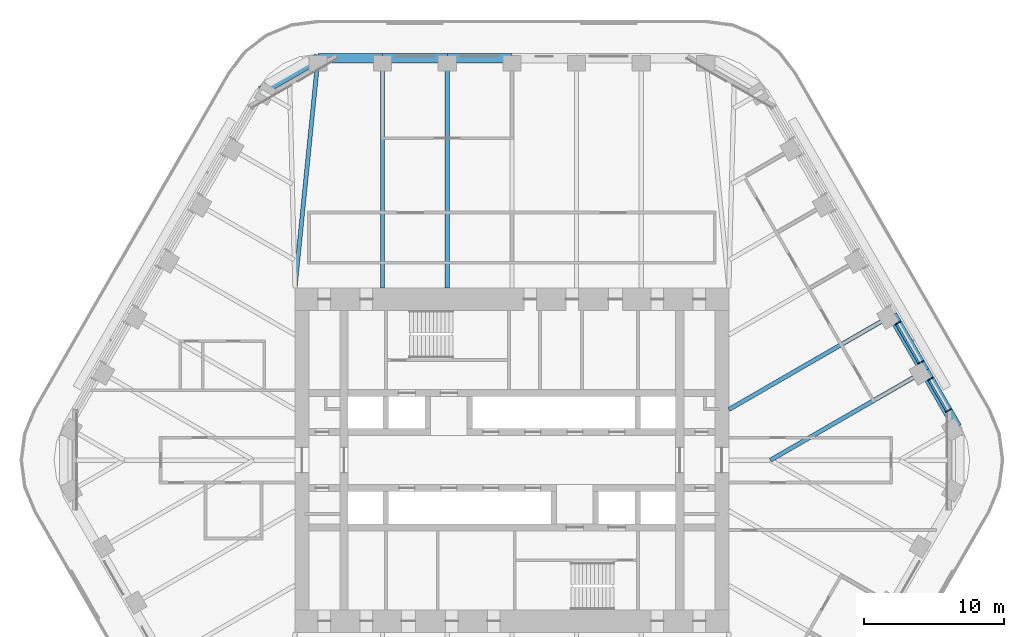
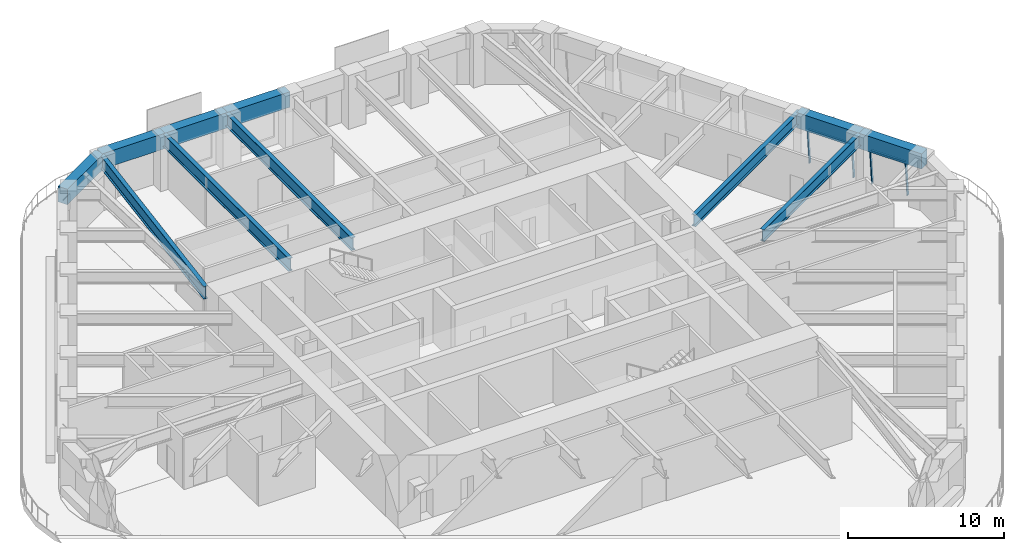
# One storey, part 9 of 20: 11 beams, 6 members, 2 elements without a shape of their own.
"""IFC4 building model written with IfcOpenShell, lengths in metres."""

import ifcopenshell
import ifcopenshell.guid

model = None  # the IFC model being written
_history = None  # IfcOwnerHistory: only IFC2X3 demands one
_inside = {}  # id of a spatial element -> (the spatial element, [elements in it])
_under = {}  # id of a project, library or spatial element -> (it, [spatial elements below it])
_declared = {}  # id of a project -> (the project, [libraries it declares])
_typed = {}  # id of a type object -> (the type object, [elements of that type])
_made_of = {}  # id of a material, layer set ... -> (it, [elements and type objects made of it])


def new_model(schema):
    """Start an empty IFC model of exactly this schema.

    Asked for "IFC4X3", IfcOpenShell would pick the latest addendum, in which some entities
    have other attributes; the version numbers below select the first issue.
    IFC2X3 requires an IfcOwnerHistory on every rooted entity: one is made here for all.
    """
    global model, _history
    if schema == "IFC4X3":
        model = ifcopenshell.file(schema_version=(4, 3, 0, 0))
    else:
        model = ifcopenshell.file(schema=schema)
    _inside.clear()
    _under.clear()
    _declared.clear()
    _typed.clear()
    _made_of.clear()
    _history = None
    if model.schema == "IFC2X3":
        org = make("IfcOrganization", Name="unknown")
        user = make(
            "IfcPersonAndOrganization",
            ThePerson=make("IfcPerson", FamilyName="unknown"),
            TheOrganization=org,
        )
        app = make(
            "IfcApplication",
            ApplicationDeveloper=org,
            Version="unknown",
            ApplicationFullName="unknown",
            ApplicationIdentifier="unknown",
        )
        _history = make(
            "IfcOwnerHistory",
            OwningUser=user,
            OwningApplication=app,
            ChangeAction="ADDED",
            CreationDate=0,
        )
    return model


def make(cls, **values):
    """One entity of the class cls with the attributes given. An attribute that is None is left unset."""
    return model.create_entity(
        cls, **{name: value for name, value in values.items() if value is not None}
    )


def rooted(cls, **values):
    """An entity with a GlobalId (a new one), such as an element, a storey or a relation."""
    return make(cls, GlobalId=ifcopenshell.guid.new(), OwnerHistory=_history, **values)


def si_unit(unit_type, name, prefix=None):
    """IfcSIUnit, for example si_unit("LENGTHUNIT", "METRE", prefix="MILLI")."""
    return make("IfcSIUnit", UnitType=unit_type, Prefix=prefix, Name=name)


def assignment(units):
    """IfcUnitAssignment: the units of a project."""
    return None if units is None else make("IfcUnitAssignment", Units=units)


def point(xyz):
    """IfcCartesianPoint."""
    return None if xyz is None else make("IfcCartesianPoint", Coordinates=xyz)


def direction(xyz):
    """IfcDirection."""
    return None if xyz is None else make("IfcDirection", DirectionRatios=xyz)


def frame(location, z_axis=None, x_axis=None):
    """IfcAxis2Placement3D, a coordinate frame: its origin and axes. An axis left out is left unset."""
    return make(
        "IfcAxis2Placement3D",
        Location=point(location),
        Axis=direction(z_axis),
        RefDirection=direction(x_axis),
    )


def frame_2d(location, x_axis=None):
    """IfcAxis2Placement2D, a coordinate frame in the plane: its origin and x axis."""
    return make(
        "IfcAxis2Placement2D", Location=point(location), RefDirection=direction(x_axis)
    )


def origin():
    """The frame at (0, 0, 0) with its axes left unset."""
    return frame((0.0, 0.0, 0.0))


def origin_2d():
    """The frame at (0, 0) in the plane with its x axis left unset."""
    return frame_2d((0.0, 0.0))


def place(relative_to, where):
    """IfcLocalPlacement: puts the frame where relative to a parent placement (None: the world)."""
    return make(
        "IfcLocalPlacement", PlacementRelTo=relative_to, RelativePlacement=where
    )


def context(
    kind, dimensions, precision=None, world=None, true_north=None, identifier=None
):
    """IfcGeometricRepresentationContext, for example the 3D "Model" context."""
    return make(
        "IfcGeometricRepresentationContext",
        ContextIdentifier=identifier,
        ContextType=kind,
        CoordinateSpaceDimension=dimensions,
        Precision=precision,
        WorldCoordinateSystem=world,
        TrueNorth=true_north,
    )


def subcontext(parent, identifier, kind, view, scale=None):
    """IfcGeometricRepresentationSubContext, for example "Body" below "Model"."""
    return make(
        "IfcGeometricRepresentationSubContext",
        ContextIdentifier=identifier,
        ContextType=kind,
        ParentContext=parent,
        TargetScale=scale,
        TargetView=view,
    )


def project(units=None, contexts=None):
    """IfcProject with its units and contexts."""
    return rooted(
        "IfcProject",
        Name="project",
        RepresentationContexts=contexts,
        UnitsInContext=assignment(units),
    )


def spatial(cls, under=None, at=None, **own):
    """A site, building, storey or space (cls), placed at a placement, below another one or the project."""
    s = rooted(cls, ObjectPlacement=at, **own)
    if under is not None:
        _under.setdefault(under.id(), (under, []))[1].append(s)
    return s


def profile(cls, at=None, kind="AREA", **sizes):
    """A parametric profile (cls). Its sizes go by their IFC names, for example OverallWidth=200.0."""
    return make(cls, ProfileType=kind, Position=at, **sizes)


def rectangle(**sizes):
    """IfcRectangleProfileDef."""
    return profile("IfcRectangleProfileDef", **sizes)


def i_section(**sizes):
    """IfcIShapeProfileDef."""
    return profile("IfcIShapeProfileDef", **sizes)


def extrude(swept, where, along, depth):
    """IfcExtrudedAreaSolid: the profile swept, set in the frame where, extruded along a direction by depth."""
    return make(
        "IfcExtrudedAreaSolid",
        SweptArea=swept,
        Position=where,
        ExtrudedDirection=direction(along),
        Depth=depth,
    )


def shape(context_of_items, identifier, shape_type, items):
    """IfcShapeRepresentation: the items that make up one representation, for example the "Body"."""
    return make(
        "IfcShapeRepresentation",
        ContextOfItems=context_of_items,
        RepresentationIdentifier=identifier,
        RepresentationType=shape_type,
        Items=items,
    )


def material(Name=None, Category=None):
    """IfcMaterial."""
    return make("IfcMaterial", Name=Name, Category=Category)


def material_profile(
    of_material, cross_section, Name=None, Category=None, Priority=None
):
    """IfcMaterialProfile: a cross section and its material."""
    return make(
        "IfcMaterialProfile",
        Name=Name,
        Material=of_material,
        Profile=cross_section,
        Priority=Priority,
        Category=Category,
    )


def profile_set(profiles, Name=None, composite=None):
    """IfcMaterialProfileSet."""
    return make(
        "IfcMaterialProfileSet",
        Name=Name,
        MaterialProfiles=profiles,
        CompositeProfile=composite,
    )


def made_of(thing, what):
    """Note that an element or type object is made of a material, layer set ...; save() writes the relation."""
    if what is not None:
        _made_of.setdefault(what.id(), (what, []))[1].append(thing)
    return thing


def type_object(cls, material=None, **own):
    """A type object (cls), such as IfcWallType, which elements share."""
    return made_of(rooted(cls, **own), material)


def element(
    cls,
    number,
    at=None,
    inside=None,
    cuts=None,
    type_object=None,
    material=None,
    context=None,
    identifier="Body",
    shape_type=None,
    held_by="IfcProductDefinitionShape",
    body=None,
    shapes=None,
    **own,
):
    """One element of the class cls, such as IfcWall. Its Tag is "e" and its number.

    at: its placement. inside: the storey or other place that contains it. cuts: it is an
    opening in that element (IfcRelVoidsElement). A single representation is given by context,
    identifier, shape_type and body (its items); several are given by shapes. held_by: the class
    of the entity that holds the representations. save() writes the other relations.
    """
    e = rooted(cls, Tag="e%d" % number, ObjectPlacement=at, **own)
    if body is not None:
        shapes = [shape(context, identifier, shape_type, body)]
    if shapes is not None:
        e.Representation = make(held_by, Representations=shapes)
    if inside is not None:
        _inside.setdefault(inside.id(), (inside, []))[1].append(e)
    if cuts is not None:
        rooted(
            "IfcRelVoidsElement", RelatingBuildingElement=cuts, RelatedOpeningElement=e
        )
    if type_object is not None:
        _typed.setdefault(type_object.id(), (type_object, []))[1].append(e)
    return made_of(e, material)


def aggregate(whole, parts):
    """IfcRelAggregates: a whole, such as a stair, and the parts it consists of."""
    return rooted("IfcRelAggregates", RelatingObject=whole, RelatedObjects=parts)


def save(model, path):
    """Write the relations noted so far, then the file.

    IfcRelAggregates (storeys below a building ...), IfcRelContainedInSpatialStructure (elements
    in a storey), IfcRelDefinesByType, IfcRelAssociatesMaterial and IfcRelDeclares: one each for
    every whole, place, type object, material and project.
    """
    for whole, parts in _under.values():
        aggregate(whole, parts)
    for where, things in _inside.values():
        rooted(
            "IfcRelContainedInSpatialStructure",
            RelatedElements=things,
            RelatingStructure=where,
        )
    for kind, things in _typed.values():
        rooted("IfcRelDefinesByType", RelatedObjects=things, RelatingType=kind)
    for what, things in _made_of.values():
        rooted("IfcRelAssociatesMaterial", RelatedObjects=things, RelatingMaterial=what)
    for by, libraries in _declared.values():
        rooted("IfcRelDeclares", RelatingContext=by, RelatedDefinitions=libraries)
    model.write(path)


model = new_model("IFC4")

# Units and contexts
model_context = context("Model", 3, precision=1e-05, world=origin(), true_north=direction((0.0, 1.0)))
body_context = subcontext(model_context, "Body", "Model", "MODEL_VIEW")
ifc_project = project(units=[si_unit("LENGTHUNIT", "METRE"), si_unit("AREAUNIT", "SQUARE_METRE"), si_unit("VOLUMEUNIT", "CUBIC_METRE"), si_unit("PLANEANGLEUNIT", "RADIAN"), si_unit("MASSUNIT", "GRAM", prefix="KILO")], contexts=[model_context])

# Site, building, storey
site_placement = place(None, origin())
site = spatial("IfcSite", under=ifc_project, at=site_placement, CompositionType="ELEMENT")
building_placement = place(site_placement, origin())
building = spatial("IfcBuilding", under=site, at=building_placement, Name="Tarfa Lantern Tower", CompositionType="ELEMENT")
storey_placement = place(building_placement, frame((0.0, 0.0, 240.699951171875)))
storey = spatial("IfcBuildingStorey", under=building, at=storey_placement, Name="L54", CompositionType="ELEMENT", Elevation=240.699951171875)

# Curtain wall, members
ifc_material_1 = material(Name="Aluminium framed curtain wall", Category="aluminium")
curtain_wall_type = type_object("IfcCurtainWallType", Name="CW3 CANTED GLAZING HIGH ZONE 2800", PredefinedType="USERDEFINED", material=ifc_material_1)
curtain_wall_1_placement = place(storey_placement, origin())
curtain_wall_1 = element("IfcCurtainWall", 1, at=curtain_wall_1_placement, inside=storey, type_object=curtain_wall_type, Name="CW3 NE L54", ObjectType="CURTAIN WALL", PredefinedType="USERDEFINED")
ifc_material_2 = material(Name="Aluminium mullion", Category="aluminium")
ifc_material_profile_1 = material_profile(ifc_material_2, rectangle(XDim=0.06494140625, YDim=0.199951171875, at=origin_2d()), Name="AL MULLION 65x200")
ifc_profile_set_1 = profile_set([ifc_material_profile_1], Name="Aluminium mullion")
member_type_1 = type_object("IfcMemberType", Name="CWM1 MULLION 65x200", PredefinedType="MULLION", material=ifc_profile_set_1)
member_1_placement = place(storey_placement, frame((31.2900390625, 3.60400390625, 0.0), z_axis=(-0.077032386753, -0.044465143199, 0.996036576854), x_axis=(0.499919672301, -0.866071776036, 0.0)))
member_1 = element("IfcMember", 2, at=member_1_placement, type_object=member_type_1, Name="CW3 mullion 1", PredefinedType="MULLION", context=body_context, shape_type="SweptSolid", body=[
    extrude(rectangle(XDim=0.06494140625, YDim=0.199951171875, at=origin_2d()), origin(), (0.0, 0.0, 1.0), 2.811279296875),
])
member_2_placement = place(storey_placement, frame((29.98828125, 5.85888671875, 0.0), z_axis=(-0.077032386753, -0.044465143199, 0.996036576854), x_axis=(0.499919672301, -0.866071776036, 0.0)))
member_2 = element("IfcMember", 3, at=member_2_placement, type_object=member_type_1, Name="CW3 mullion 2", PredefinedType="MULLION", context=body_context, shape_type="SweptSolid", body=[
    extrude(rectangle(XDim=0.06494140625, YDim=0.199951171875, at=origin_2d()), origin(), (0.0, 0.0, 1.0), 2.811279296875),
])

curtain_wall_2_placement = place(storey_placement, origin())
curtain_wall_2 = element("IfcCurtainWall", 4, at=curtain_wall_2_placement, inside=storey, type_object=curtain_wall_type, Name="CW3 NE L54", ObjectType="CURTAIN WALL", PredefinedType="USERDEFINED")
member_3_placement = place(storey_placement, frame((29.3056640625, 7.041015625, 0.0), z_axis=(-0.077032386753, -0.044465143199, 0.996036576854), x_axis=(0.499919672301, -0.866071776036, 0.0)))
member_3 = element("IfcMember", 5, at=member_3_placement, type_object=member_type_1, Name="CW3 mullion 1", PredefinedType="MULLION", context=body_context, shape_type="SweptSolid", body=[
    extrude(rectangle(XDim=0.06494140625, YDim=0.199951171875, at=origin_2d()), origin(), (0.0, 0.0, 1.0), 2.811279296875),
])
member_4_placement = place(storey_placement, frame((27.6787109375, 9.85888671875, 0.0), z_axis=(-0.077032386753, -0.044465143199, 0.996036576854), x_axis=(0.499919672301, -0.866071776036, 0.0)))
member_4 = element("IfcMember", 6, at=member_4_placement, type_object=member_type_1, Name="CW3 mullion 2", PredefinedType="MULLION", context=body_context, shape_type="SweptSolid", body=[
    extrude(rectangle(XDim=0.06494140625, YDim=0.199951171875, at=origin_2d()), origin(), (0.0, 0.0, 1.0), 2.811279296875),
])

# Member
ifc_material_3 = material(Name="Aluminium transom", Category="aluminium")
ifc_material_profile_2 = material_profile(ifc_material_3, rectangle(XDim=0.14990234375, YDim=0.06494140625, at=origin_2d()), Name="AL TRANSOM 150x65")
ifc_profile_set_2 = profile_set([ifc_material_profile_2], Name="Aluminium transom")
member_type_2 = type_object("IfcMemberType", Name="CWT1 TRANSOM 150x65", PredefinedType="USERDEFINED", material=ifc_profile_set_2)
member_5_placement = place(storey_placement, frame((31.059814453125, 3.508544921875, 2.767578125), z_axis=(-0.499955533855, 0.866051074803, 0.0), x_axis=(-0.866051074803, -0.499955533855, 0.0)))
member_5 = element("IfcMember", 7, at=member_5_placement, type_object=member_type_2, Name="CW3 transom 1.2", ObjectType="TRANSOM", PredefinedType="USERDEFINED", context=body_context, shape_type="SweptSolid", body=[
    extrude(rectangle(XDim=0.14990234375, YDim=0.06494140625, at=origin_2d()), origin(), (0.0, 0.0, 1.0), 2.538818359375),
])

aggregate(curtain_wall_1, [member_1, member_2, member_5])

member_6_placement = place(storey_placement, frame((29.075439453125, 6.945556640625, 2.767578125), z_axis=(-0.500000789788, 0.8660249478, 0.0), x_axis=(-0.8660249478, -0.500000789788, 0.0)))
member_6 = element("IfcMember", 8, at=member_6_placement, type_object=member_type_2, Name="CW3 transom 1.2", ObjectType="TRANSOM", PredefinedType="USERDEFINED", context=body_context, shape_type="SweptSolid", body=[
    extrude(rectangle(XDim=0.14990234375, YDim=0.06494140625, at=origin_2d()), origin(), (0.0, 0.0, 1.0), 3.18896484375),
])

aggregate(curtain_wall_2, [member_3, member_4, member_6])

# Beams
ifc_material_4 = material(Name="Concrete C80/95", Category="concrete")
ifc_material_profile_3 = material_profile(ifc_material_4, rectangle(XDim=0.699951171875, YDim=1.199951171875, at=origin_2d()), Name="RC 700x1200")
ifc_profile_set_3 = profile_set([ifc_material_profile_3], Name="Concrete C80/95")
beam_type_1 = type_object("IfcBeamType", Name="EB3 RC 700x1200", PredefinedType="SPANDREL", material=ifc_profile_set_3)
beam_1_placement = place(storey_placement, frame((31.800537109375, 2.360107421875, 3.400146484375), z_axis=(-0.500027479704, 0.866009537788, 0.0), x_axis=(-0.866009537788, -0.500027479704, 0.0)))
element("IfcBeam", 9, at=beam_1_placement, inside=storey, type_object=beam_type_1, Name="Edge beam NE0", PredefinedType="SPANDREL", context=body_context, shape_type="SweptSolid", body=[
    extrude(rectangle(XDim=0.699951171875, YDim=1.199951171875, at=origin_2d()), origin(), (0.0, 0.0, 1.0), 4.618896484375),
])
beam_2_placement = place(storey_placement, frame((29.490966796875, 6.360107421875, 3.400146484375), z_axis=(-0.499987836815, 0.866032426089, 0.0), x_axis=(-0.866032426089, -0.499987836815, 0.0)))
element("IfcBeam", 10, at=beam_2_placement, inside=storey, type_object=beam_type_1, Name="Edge beam NE1", PredefinedType="SPANDREL", context=body_context, shape_type="SweptSolid", body=[
    extrude(rectangle(XDim=0.699951171875, YDim=1.199951171875, at=origin_2d()), origin(), (0.0, 0.0, 1.0), 4.61865234375),
])
beam_3_placement = place(storey_placement, frame((0.0, 28.719970703125, 3.400146484375), z_axis=(-1.0, 0.0, 0.0), x_axis=(0.0, -1.0, 0.0)))
element("IfcBeam", 11, at=beam_3_placement, inside=storey, type_object=beam_type_1, Name="Edge beam N3", PredefinedType="SPANDREL", context=body_context, shape_type="SweptSolid", body=[
    extrude(rectangle(XDim=0.699951171875, YDim=1.199951171875, at=origin_2d()), origin(), (0.0, 0.0, 1.0), 4.618896484375),
])
beam_4_placement = place(storey_placement, frame((-4.618896484375, 28.719970703125, 3.400146484375), z_axis=(-1.0, 0.0, 0.0), x_axis=(0.0, -1.0, 0.0)))
element("IfcBeam", 12, at=beam_4_placement, inside=storey, type_object=beam_type_1, Name="Edge beam N4", PredefinedType="SPANDREL", context=body_context, shape_type="SweptSolid", body=[
    extrude(rectangle(XDim=0.699951171875, YDim=1.199951171875, at=origin_2d()), origin(), (0.0, 0.0, 1.0), 4.61865234375),
])
beam_5_placement = place(storey_placement, frame((-9.237548828125, 28.719970703125, 3.400146484375), z_axis=(-1.0, 0.0, 0.0), x_axis=(0.0, -1.0, 0.0)))
element("IfcBeam", 13, at=beam_5_placement, inside=storey, type_object=beam_type_1, Name="Edge beam N5", PredefinedType="SPANDREL", context=body_context, shape_type="SweptSolid", body=[
    extrude(rectangle(XDim=0.699951171875, YDim=1.199951171875, at=origin_2d()), origin(), (0.0, 0.0, 1.0), 4.618896484375),
])
beam_6_placement = place(storey_placement, frame((-13.8564453125, 28.719970703125, 3.400146484375), z_axis=(-0.866038294681, -0.499977671647, 0.0), x_axis=(0.499977671647, -0.866038294681, 0.0)))
element("IfcBeam", 14, at=beam_6_placement, inside=storey, type_object=beam_type_1, Name="Edge beam N6", PredefinedType="SPANDREL", context=body_context, shape_type="SweptSolid", body=[
    extrude(rectangle(XDim=0.699951171875, YDim=1.199951171875, at=origin_2d()), origin(), (0.0, 0.0, 1.0), 4.719970703125),
])
ifc_material_5 = material(Name="Steel S460M", Category="steel")
ifc_material_profile_4 = material_profile(ifc_material_5, i_section(OverallWidth=0.302001953125, OverallDepth=1.008056640625, WebThickness=0.02099609375, FlangeThickness=0.0400390625, FilletRadius=0.030029296875, at=origin_2d()), Name="UB1016x305x349")
ifc_profile_set_4 = profile_set([ifc_material_profile_4], Name="Steel S460M")
beam_type_2 = type_object("IfcBeamType", Name="UB1016x305x349", PredefinedType="BEAM", material=ifc_profile_set_4)
for number, where, z_axis, x_axis, name in (
    (15, (-4.618896484375, 28.719970703125, 3.49609375), (0.0, -1.0, 0.0), (1.0, 0.0, 0.0), "Floor beam N4"),
    (16, (-9.237548828125, 28.719970703125, 3.49609375), (0.0, -1.0, 0.0), (1.0, 0.0, 0.0), "Floor beam N5"),
):
    element("IfcBeam", number, at=place(storey_placement, frame(where, z_axis=z_axis, x_axis=x_axis)), inside=storey, type_object=beam_type_2, Name=name, PredefinedType="BEAM", context=body_context, shape_type="SweptSolid", body=[
        extrude(i_section(OverallWidth=0.302001953125, OverallDepth=1.008056640625, WebThickness=0.02099609375, FlangeThickness=0.0400390625, FilletRadius=0.030029296875, at=origin_2d()), origin(), (0.0, 0.0, 1.0), 16.419921875),
    ])
beam_7_placement = place(storey_placement, frame((-13.8564453125, 28.719970703125, 3.49609375), z_axis=(-0.099597466746, -0.995027810977, 0.0), x_axis=(0.995027810977, -0.099597466746, 0.0)))
element("IfcBeam", 17, at=beam_7_placement, inside=storey, type_object=beam_type_2, Name="Floor beam N6", PredefinedType="BEAM", context=body_context, shape_type="SweptSolid", body=[
    extrude(i_section(OverallWidth=0.302001953125, OverallDepth=1.008056640625, WebThickness=0.02099609375, FlangeThickness=0.0400390625, FilletRadius=0.030029296875, at=origin_2d()), origin(), (0.0, 0.0, 1.0), 16.501953125),
])
ifc_material_profile_5 = material_profile(ifc_material_5, i_section(OverallWidth=0.305419921875, OverallDepth=0.91845703125, WebThickness=0.017333984375, FlangeThickness=0.02783203125, FilletRadius=0.01904296875, at=origin_2d()), Name="UB914x305x253")
ifc_profile_set_5 = profile_set([ifc_material_profile_5], Name="Steel S460M")
beam_type_3 = type_object("IfcBeamType", Name="UB914x305x253", PredefinedType="BEAM", material=ifc_profile_set_5)
beam_8_placement = place(storey_placement, frame((29.490966796875, 6.360107421875, 3.540771484375), z_axis=(-0.866022258038, -0.500005448553, 0.0), x_axis=(0.500005448553, -0.866022258038, 0.0)))
element("IfcBeam", 18, at=beam_8_placement, inside=storey, type_object=beam_type_3, Name="Floor beam NE1", PredefinedType="BEAM", context=body_context, shape_type="SweptSolid", body=[
    extrude(i_section(OverallWidth=0.305419921875, OverallDepth=0.91845703125, WebThickness=0.017333984375, FlangeThickness=0.02783203125, FilletRadius=0.01904296875, at=origin_2d()), origin(), (0.0, 0.0, 1.0), 12.719970703125),
])
beam_9_placement = place(storey_placement, frame((27.181640625, 10.360107421875, 3.540771484375), z_axis=(-0.866018002818, -0.500012818631, 0.0), x_axis=(0.500012818631, -0.866018002818, 0.0)))
element("IfcBeam", 19, at=beam_9_placement, inside=storey, type_object=beam_type_3, Name="Floor beam NE2", PredefinedType="BEAM", context=body_context, shape_type="SweptSolid", body=[
    extrude(i_section(OverallWidth=0.305419921875, OverallDepth=0.91845703125, WebThickness=0.017333984375, FlangeThickness=0.02783203125, FilletRadius=0.01904296875, at=origin_2d()), origin(), (0.0, 0.0, 1.0), 13.489013671875),
])

save(model, "model.ifc")
